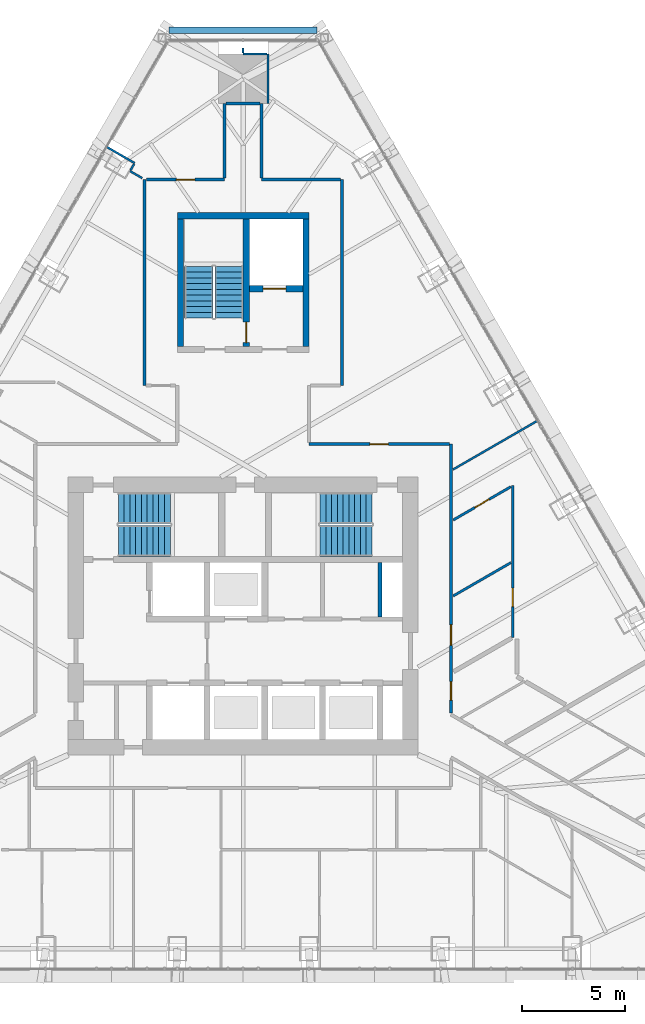
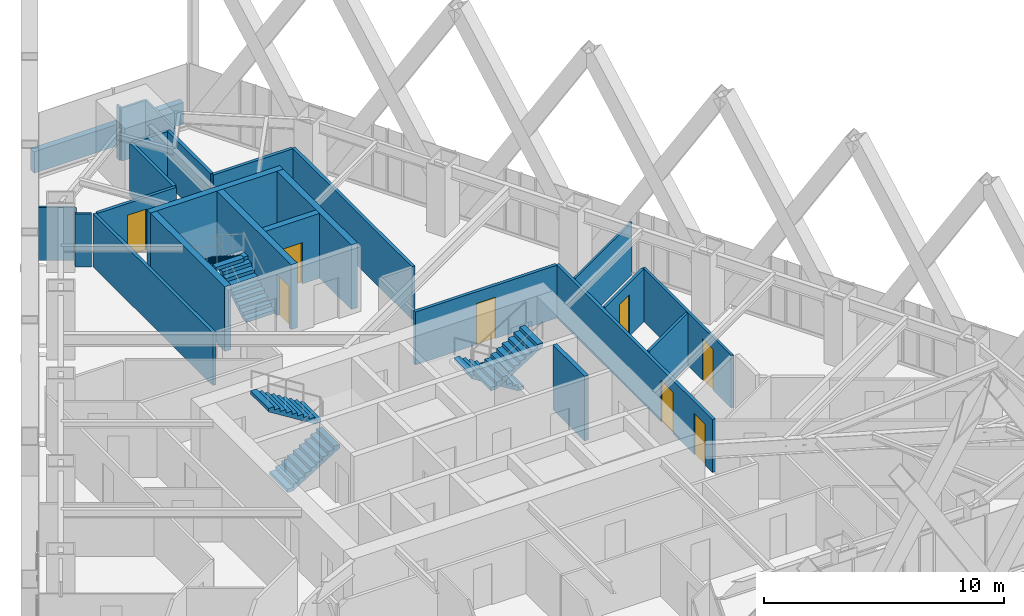
# One storey, part 19 of 21: 26 walls, 8 doors, 6 stair flights, 8 openings, 3 elements without a shape of their own.
"""IFC4 building model written with IfcOpenShell, lengths in metres."""

from ifc_helpers import new_model, si_unit, direction, frame, frame_2d, origin, place, context, subcontext, project, spatial, polyline, rectangle, outline, extrude, material, layer, layer_set, type_object, element, fill, aggregate, save


model = new_model("IFC4")

# Units and contexts
model_context = context("Model", 3, precision=1e-05, world=origin(), true_north=direction((0.0, 1.0)))
body_context = subcontext(model_context, "Body", "Model", "MODEL_VIEW")
ifc_project = project(units=[si_unit("LENGTHUNIT", "METRE"), si_unit("AREAUNIT", "SQUARE_METRE"), si_unit("VOLUMEUNIT", "CUBIC_METRE"), si_unit("PLANEANGLEUNIT", "RADIAN"), si_unit("MASSUNIT", "GRAM", prefix="KILO")], contexts=[model_context])

# Site, building, storey
site_placement = place(None, origin())
site = spatial("IfcSite", under=ifc_project, at=site_placement, CompositionType="ELEMENT")
building_placement = place(site_placement, origin())
building = spatial("IfcBuilding", under=site, at=building_placement, Name="Firuza Gate Tower and Library", CompositionType="ELEMENT")
storey_placement = place(building_placement, frame((0.0, 0.0, 281.10009765625)))
storey = spatial("IfcBuildingStorey", under=building, at=storey_placement, Name="L67", CompositionType="ELEMENT", Elevation=281.10009765625)

# Walls
ifc_material_1 = material(Name="Plasterboard on steel studs", Category="steel")
ifc_layer_1 = layer(ifc_material_1, 0.199951171875)
ifc_layer_set_1 = layer_set([ifc_layer_1], Name="Core partition 200 EI 120")
wall_type_1 = type_object("IfcWallType", Name="Core partition 200 EI 120", PredefinedType="PARTITIONING", material=ifc_layer_set_1)
wall_1_placement = place(storey_placement, frame((81.64990234375, 74.949951171875, 0.0), z_axis=(0.0, 0.0, 1.0), x_axis=(0.0, 1.0, 0.0)))
element("IfcWall", 1, at=wall_1_placement, inside=storey, type_object=wall_type_1, Name="Core partition L67 7", PredefinedType="PARTITIONING", context=body_context, shape_type="SweptSolid", body=[
    extrude(rectangle(XDim=2.650146484375, YDim=0.199951171875, at=frame_2d((1.3251953125, 0.0))), origin(), (0.0, 0.0, 1.0), 3.2998046875),
])
ifc_material_2 = material(Name="Concrete C60/75", Category="concrete")
ifc_layer_2 = layer(ifc_material_2, 0.300048828125)
ifc_layer_set_2 = layer_set([ifc_layer_2], Name="Core wall 300 C60/75")
wall_type_2 = type_object("IfcWallType", Name="Core wall 300 C60/75", PredefinedType="SHEAR", material=ifc_layer_set_2)
wall_2_placement = place(storey_placement, frame((71.800048828125, 94.449951171875, 0.0), z_axis=(0.0, 0.0, 1.0), x_axis=(1.0, 0.0, 0.0)))
element("IfcWall", 2, at=wall_2_placement, inside=storey, type_object=wall_type_2, Name="Core wall L67 19", PredefinedType="SHEAR", context=body_context, shape_type="SweptSolid", body=[
    extrude(rectangle(XDim=6.39990234375, YDim=0.300048828125, at=frame_2d((3.199951171875, 0.0))), origin(), (0.0, 0.0, 1.0), 3.2998046875),
])
for number, where, z_axis, x_axis, name in (
    (3, (71.949951171875, 88.10009765625, 0.0), (0.0, 0.0, 1.0), (0.0, 1.0, 0.0), "Core wall L67 20"),
    (4, (78.050048828125, 88.10009765625, 0.0), (0.0, 0.0, 1.0), (0.0, 1.0, 0.0), "Core wall L67 21"),
):
    element("IfcWall", number, at=place(storey_placement, frame(where, z_axis=z_axis, x_axis=x_axis)), inside=storey, type_object=wall_type_2, Name=name, PredefinedType="SHEAR", context=body_context, shape_type="SweptSolid", body=[
        extrude(rectangle(XDim=6.199951171875, YDim=0.300048828125, at=frame_2d((3.10009765625, 0.0))), origin(), (0.0, 0.0, 1.0), 3.2998046875),
    ])

# Wall, opening, door
wall_3_placement = place(storey_placement, frame((75.300048828125, 90.89990234375, 0.0), z_axis=(0.0, 0.0, 1.0), x_axis=(1.0, 0.0, 0.0)))
wall_3 = element("IfcWall", 5, at=wall_3_placement, inside=storey, type_object=wall_type_2, Name="Core wall L67 22", PredefinedType="SHEAR", context=body_context, shape_type="SweptSolid", body=[
    extrude(rectangle(XDim=2.599853515625, YDim=0.300048828125, at=frame_2d((1.2998046875, 0.0))), origin(), (0.0, 0.0, 1.0), 3.2998046875),
])
opening_1_placement = place(wall_3_placement, frame((0.675048828125, 0.0, 0.0)))
opening_1 = element("IfcOpeningElement", 6, at=opening_1_placement, cuts=wall_3, Name="Opening LD-SV1-L67", PredefinedType="OPENING", context=body_context, shape_type="SweptSolid", body=[
    extrude(rectangle(XDim=1.10009765625, YDim=2.10009765625, at=frame_2d((0.550048828125, 1.050048828125))), frame((0.0, 0.16015625, 0.0), z_axis=(0.0, -1.0, 0.0), x_axis=(1.0, 0.0, 0.0)), (0.0, 0.0, 1.0), 0.320068359375),
])
ifc_material_3 = material(Name="Stainless steel", Category="steel")
door_type_1 = type_object("IfcDoorType", Name="Lift landing door 1100x2100", OperationType="DOUBLE_DOOR_SLIDING", PredefinedType="DOOR", material=ifc_material_3)
door_1_placement = place(opening_1_placement, origin())
door_1 = element("IfcDoor", 7, at=door_1_placement, inside=storey, type_object=door_type_1, Name="Landing door SV1 L67", OperationType="DOUBLE_DOOR_SLIDING", OverallHeight=2.10009765625, OverallWidth=1.10009765625, PredefinedType="DOOR", context=body_context, shape_type="SweptSolid", body=[
    extrude(rectangle(XDim=1.10009765625, YDim=2.10009765625, at=frame_2d((0.550048828125, 1.050048828125))), frame((0.0, 0.02490234375, 0.0), z_axis=(0.0, -1.0, 0.0), x_axis=(1.0, 0.0, 0.0)), (0.0, 0.0, 1.0), 0.050048828125),
])
fill(opening_1, door_1)

wall_4_placement = place(storey_placement, frame((75.14990234375, 88.10009765625, 0.0), z_axis=(0.0, 0.0, 1.0), x_axis=(0.0, 1.0, 0.0)))
wall_4 = element("IfcWall", 8, at=wall_4_placement, inside=storey, type_object=wall_type_2, Name="Core wall L67 23", PredefinedType="SHEAR", context=body_context, shape_type="SweptSolid", body=[
    extrude(rectangle(XDim=6.199951171875, YDim=0.300048828125, at=frame_2d((3.10009765625, 0.0))), origin(), (0.0, 0.0, 1.0), 3.2998046875),
])
opening_2_placement = place(wall_4_placement, frame((0.18505859375, 0.0, 0.0)))
opening_2 = element("IfcOpeningElement", 9, at=opening_2_placement, cuts=wall_4, Name="Opening L67-K12", PredefinedType="OPENING", context=body_context, shape_type="SweptSolid", body=[
    extrude(rectangle(XDim=1.0, YDim=2.10009765625, at=frame_2d((0.5, 1.050048828125))), frame((0.0, 0.16015625, 0.0), z_axis=(0.0, -1.0, 0.0), x_axis=(1.0, 0.0, 0.0)), (0.0, 0.0, 1.0), 0.320068359375),
])
ifc_material_4 = material(Name="Steel", Category="steel")
door_type_2 = type_object("IfcDoorType", Name="Fire door 1000x2100 FD90", OperationType="NOTDEFINED", PredefinedType="DOOR", material=ifc_material_4)
door_2_placement = place(opening_2_placement, origin())
door_2 = element("IfcDoor", 10, at=door_2_placement, inside=storey, type_object=door_type_2, Name="Door L67-K12", OperationType="SINGLE_SWING_LEFT", OverallHeight=2.10009765625, OverallWidth=1.0, PredefinedType="DOOR", context=body_context, shape_type="SweptSolid", body=[
    extrude(rectangle(XDim=1.0, YDim=2.10009765625, at=frame_2d((0.5, 1.050048828125))), frame((0.0, 0.02490234375, 0.0), z_axis=(0.0, -1.0, 0.0), x_axis=(1.0, 0.0, 0.0)), (0.0, 0.0, 1.0), 0.050048828125),
])
fill(opening_2, door_2)

ifc_material_5 = material(Name="Gypsum board partition")
ifc_layer_3 = layer(ifc_material_5, 0.14990234375)
ifc_layer_set_3 = layer_set([ifc_layer_3], Name="Corridor wall 150 double board on steel studs")
wall_type_3 = type_object("IfcWallType", Name="Corridor wall 150 double board on steel studs", PredefinedType="PARTITIONING", material=ifc_layer_set_3)
wall_5_placement = place(storey_placement, frame((78.199951171875, 83.35009765625, 0.0), z_axis=(0.0, 0.0, 1.0), x_axis=(1.0, 0.0, 0.0)))
wall_5 = element("IfcWall", 11, at=wall_5_placement, inside=storey, type_object=wall_type_3, Name="f:L67:w006", PredefinedType="PARTITIONING", context=body_context, shape_type="SweptSolid", body=[
    extrude(rectangle(XDim=6.822998046875, YDim=0.14990234375, at=frame_2d((3.41162109375, 0.0))), origin(), (0.0, 0.0, 1.0), 2.699951171875),
])
opening_3_placement = place(wall_5_placement, frame((2.96142578125, 0.0, 0.0)))
opening_3 = element("IfcOpeningElement", 12, at=opening_3_placement, cuts=wall_5, Name="Opening L67-07", PredefinedType="OPENING", context=body_context, shape_type="SweptSolid", body=[
    extrude(rectangle(XDim=0.89990234375, YDim=2.10009765625, at=frame_2d((0.449951171875, 1.050048828125))), frame((0.0, 0.0849609375, 0.0), z_axis=(0.0, -1.0, 0.0), x_axis=(1.0, 0.0, 0.0)), (0.0, 0.0, 1.0), 0.169921875),
])
ifc_material_6 = material(Name="Steel door and timber leaf", Category="steel")
door_type_3 = type_object("IfcDoorType", Name="Fire door 900 x 2100 steel frame, timber leaf", OperationType="NOTDEFINED", PredefinedType="DOOR", material=ifc_material_6)
door_3_placement = place(opening_3_placement, origin())
door_3 = element("IfcDoor", 13, at=door_3_placement, inside=storey, type_object=door_type_3, Name="f:L67:d007", OperationType="SINGLE_SWING_RIGHT", OverallHeight=2.10009765625, OverallWidth=0.89990234375, PredefinedType="DOOR", context=body_context, shape_type="SweptSolid", body=[
    extrude(rectangle(XDim=0.89990234375, YDim=2.10009765625, at=frame_2d((0.449951171875, 1.050048828125))), frame((0.0, 0.02490234375, 0.0), z_axis=(0.0, -1.0, 0.0), x_axis=(1.0, 0.0, 0.0)), (0.0, 0.0, 1.0), 0.050048828125),
])
fill(opening_3, door_3)

wall_6_placement = place(storey_placement, frame((70.30224609375, 96.199951171875, 0.0), z_axis=(0.0, 0.0, 1.0), x_axis=(1.0, 0.0, 0.0)))
wall_6 = element("IfcWall", 14, at=wall_6_placement, inside=storey, type_object=wall_type_3, Name="f:L67:w010", PredefinedType="PARTITIONING", context=body_context, shape_type="SweptSolid", body=[
    extrude(rectangle(XDim=3.7978515625, YDim=0.14990234375, at=frame_2d((1.89892578125, 0.0))), origin(), (0.0, 0.0, 1.0), 2.699951171875),
])
opening_4_placement = place(wall_6_placement, frame((1.448974609375, 0.0, 0.0)))
opening_4 = element("IfcOpeningElement", 15, at=opening_4_placement, cuts=wall_6, Name="Opening L67-09", PredefinedType="OPENING", context=body_context, shape_type="SweptSolid", body=[
    extrude(rectangle(XDim=0.89990234375, YDim=2.10009765625, at=frame_2d((0.449951171875, 1.050048828125))), frame((0.0, 0.0849609375, 0.0), z_axis=(0.0, -1.0, 0.0), x_axis=(1.0, 0.0, 0.0)), (0.0, 0.0, 1.0), 0.169921875),
])
door_4_placement = place(opening_4_placement, origin())
door_4 = element("IfcDoor", 16, at=door_4_placement, inside=storey, type_object=door_type_3, Name="f:L67:d009", OperationType="SINGLE_SWING_LEFT", OverallHeight=2.10009765625, OverallWidth=0.89990234375, PredefinedType="DOOR", context=body_context, shape_type="SweptSolid", body=[
    extrude(rectangle(XDim=0.89990234375, YDim=2.10009765625, at=frame_2d((0.449951171875, 1.050048828125))), frame((0.0, 0.02490234375, 0.0), z_axis=(0.0, -1.0, 0.0), x_axis=(1.0, 0.0, 0.0)), (0.0, 0.0, 1.0), 0.050048828125),
])
fill(opening_4, door_4)

# Walls
wall_7_placement = place(storey_placement, frame((75.900146484375, 96.199951171875, 0.0), z_axis=(0.0, 0.0, 1.0), x_axis=(1.0, 0.0, 0.0)))
element("IfcWall", 17, at=wall_7_placement, inside=storey, type_object=wall_type_3, Name="f:L67:w011", PredefinedType="PARTITIONING", context=body_context, shape_type="SweptSolid", body=[
    extrude(rectangle(XDim=3.82275390625, YDim=0.14990234375, at=frame_2d((1.911376953125, 0.0))), origin(), (0.0, 0.0, 1.0), 2.699951171875),
])
wall_8_placement = place(storey_placement, frame((74.175537109375, 99.90087890625, 0.0), z_axis=(0.0, 0.0, 1.0), x_axis=(1.0, 0.0, 0.0)))
element("IfcWall", 18, at=wall_8_placement, inside=storey, type_object=wall_type_3, Name="f:L67:w012", PredefinedType="PARTITIONING", context=body_context, shape_type="SweptSolid", body=[
    extrude(rectangle(XDim=1.642333984375, YDim=0.14990234375, at=frame_2d((0.8212890625, 0.0))), origin(), (0.0, 0.0, 1.0), 2.697021484375),
])

# Wall, openings, doors
wall_9_placement = place(storey_placement, frame((85.10009765625, 83.347900390625, 0.0), z_axis=(0.0, 0.0, 1.0), x_axis=(0.0, -1.0, 0.0)))
wall_9 = element("IfcWall", 19, at=wall_9_placement, inside=storey, type_object=wall_type_3, Name="f:L67:w042", PredefinedType="PARTITIONING", context=body_context, shape_type="SweptSolid", body=[
    extrude(rectangle(XDim=13.05322265625, YDim=0.14990234375, at=frame_2d((6.526611328125, 0.0))), origin(), (0.0, 0.0, 1.0), 2.699951171875),
])
opening_5_placement = place(wall_9_placement, frame((8.779541015625, 0.0, 0.0)))
opening_5 = element("IfcOpeningElement", 20, at=opening_5_placement, cuts=wall_9, Name="Opening L67-18", PredefinedType="OPENING", context=body_context, shape_type="SweptSolid", body=[
    extrude(rectangle(XDim=1.0, YDim=2.10009765625, at=frame_2d((0.5, 1.050048828125))), frame((0.0, 0.0849609375, 0.0), z_axis=(0.0, -1.0, 0.0), x_axis=(1.0, 0.0, 0.0)), (0.0, 0.0, 1.0), 0.169921875),
])
opening_6_placement = place(wall_9_placement, frame((11.537109375, 0.0, 0.0)))
opening_6 = element("IfcOpeningElement", 21, at=opening_6_placement, cuts=wall_9, Name="Opening L67-19", PredefinedType="OPENING", context=body_context, shape_type="SweptSolid", body=[
    extrude(rectangle(XDim=0.89990234375, YDim=2.10009765625, at=frame_2d((0.449951171875, 1.050048828125))), frame((0.0, 0.0849609375, 0.0), z_axis=(0.0, -1.0, 0.0), x_axis=(1.0, 0.0, 0.0)), (0.0, 0.0, 1.0), 0.169921875),
])
ifc_material_7 = material(Name="Steel door and timber leaf", Category="steel")
door_type_4 = type_object("IfcDoorType", Name="Fire door 1000 x 2100 steel frame, timber leaf", OperationType="NOTDEFINED", PredefinedType="DOOR", material=ifc_material_7)
door_5_placement = place(opening_5_placement, origin())
door_5 = element("IfcDoor", 22, at=door_5_placement, inside=storey, type_object=door_type_4, Name="f:L67:d018", OperationType="SINGLE_SWING_LEFT", OverallHeight=2.10009765625, OverallWidth=1.0, PredefinedType="DOOR", context=body_context, shape_type="SweptSolid", body=[
    extrude(rectangle(XDim=1.0, YDim=2.10009765625, at=frame_2d((0.5, 1.050048828125))), frame((0.0, 0.02490234375, 0.0), z_axis=(0.0, -1.0, 0.0), x_axis=(1.0, 0.0, 0.0)), (0.0, 0.0, 1.0), 0.050048828125),
])
fill(opening_5, door_5)
door_6_placement = place(opening_6_placement, origin())
door_6 = element("IfcDoor", 23, at=door_6_placement, inside=storey, type_object=door_type_3, Name="f:L67:d019", OperationType="SINGLE_SWING_LEFT", OverallHeight=2.10009765625, OverallWidth=0.89990234375, PredefinedType="DOOR", context=body_context, shape_type="SweptSolid", body=[
    extrude(rectangle(XDim=0.89990234375, YDim=2.10009765625, at=frame_2d((0.449951171875, 1.050048828125))), frame((0.0, 0.02490234375, 0.0), z_axis=(0.0, -1.0, 0.0), x_axis=(1.0, 0.0, 0.0)), (0.0, 0.0, 1.0), 0.050048828125),
])
fill(opening_6, door_6)

# Walls
wall_10_placement = place(storey_placement, frame((79.800048828125, 86.201904296875, 0.0), z_axis=(0.0, 0.0, 1.0), x_axis=(0.0, 1.0, 0.0)))
element("IfcWall", 24, at=wall_10_placement, inside=storey, type_object=wall_type_3, Name="f:L67:w044", PredefinedType="PARTITIONING", context=body_context, shape_type="SweptSolid", body=[
    extrude(rectangle(XDim=9.99609375, YDim=0.14990234375, at=frame_2d((4.998046875, 0.0))), origin(), (0.0, 0.0, 1.0), 2.699951171875),
])
wall_11_placement = place(storey_placement, frame((75.89990234375, 96.275146484375, 0.0), z_axis=(0.0, 0.0, 1.0), x_axis=(0.0, 1.0, 0.0)))
element("IfcWall", 25, at=wall_11_placement, inside=storey, type_object=wall_type_3, Name="f:L67:w048", PredefinedType="PARTITIONING", context=body_context, shape_type="SweptSolid", body=[
    extrude(rectangle(XDim=3.62548828125, YDim=0.14990234375, at=frame_2d((1.812744140625, 0.0))), origin(), (0.0, 0.0, 1.0), 2.699951171875),
])
wall_12_placement = place(storey_placement, frame((74.10009765625, 96.27490234375, 0.0), z_axis=(0.0, 0.0, 1.0), x_axis=(0.0, 1.0, 0.0)))
element("IfcWall", 26, at=wall_12_placement, inside=storey, type_object=wall_type_3, Name="f:L67:w050", PredefinedType="PARTITIONING", context=body_context, shape_type="SweptSolid", body=[
    extrude(rectangle(XDim=3.625244140625, YDim=0.14990234375, at=frame_2d((1.8125, 0.0))), origin(), (0.0, 0.0, 1.0), 2.699951171875),
])
wall_13_placement = place(storey_placement, frame((70.199951171875, 86.200439453125, 0.0), z_axis=(0.0, 0.0, 1.0), x_axis=(0.0, 1.0, 0.0)))
element("IfcWall", 27, at=wall_13_placement, inside=storey, type_object=wall_type_3, Name="f:L67:w053", PredefinedType="PARTITIONING", context=body_context, shape_type="SweptSolid", body=[
    extrude(rectangle(XDim=9.9990234375, YDim=0.14990234375, at=frame_2d((4.99951171875, 0.0))), origin(), (0.0, 0.0, 1.0), 2.699951171875),
])
ifc_material_8 = material(Name="Gypsum board partition")
ifc_layer_4 = layer(ifc_material_8, 0.10009765625)
ifc_layer_set_4 = layer_set([ifc_layer_4], Name="Partition 100 gypsum board on steel studs")
wall_type_4 = type_object("IfcWallType", Name="Partition 100 gypsum board on steel studs", PredefinedType="PARTITIONING", material=ifc_layer_set_4)
wall_14_placement = place(storey_placement, frame((75.00048828125, 102.301025390625, 0.0), z_axis=(0.0, 0.0, 1.0), x_axis=(1.0, 0.0, 0.0)))
element("IfcWall", 28, at=wall_14_placement, inside=storey, type_object=wall_type_4, Name="f:L67:w013", PredefinedType="PARTITIONING", context=body_context, shape_type="SweptSolid", body=[
    extrude(rectangle(XDim=1.1474609375, YDim=0.10009765625, at=frame_2d((0.57373046875, 0.0))), origin(), (0.0, 0.0, 1.0), 2.699951171875),
])
wall_15_placement = place(storey_placement, frame((85.200927734375, 82.119384765625, 0.0), z_axis=(0.0, 0.0, 1.0), x_axis=(0.866035297817, 0.499982862641, 0.0)))
element("IfcWall", 29, at=wall_15_placement, inside=storey, type_object=wall_type_4, Name="f:L67:w027", PredefinedType="PARTITIONING", context=body_context, shape_type="SweptSolid", body=[
    extrude(rectangle(XDim=4.734130859375, YDim=0.10009765625, at=frame_2d((2.3671875, 0.0))), origin(), (0.0, 0.0, 1.0), 2.68798828125),
])
wall_16_placement = place(storey_placement, frame((69.52978515625, 96.6611328125, 0.0), z_axis=(0.0, 0.0, 1.0), x_axis=(0.499904278411, 0.866080661617, 0.0)))
element("IfcWall", 30, at=wall_16_placement, inside=storey, type_object=wall_type_4, Name="f:L67:w031", PredefinedType="PARTITIONING", context=body_context, shape_type="SweptSolid", body=[
    extrude(rectangle(XDim=0.3486328125, YDim=0.10009765625, at=frame_2d((0.17431640625, 0.0))), origin(), (0.0, 0.0, 1.0), 2.699951171875),
])
wall_17_placement = place(storey_placement, frame((76.199951171875, 99.902587890625, 0.0), z_axis=(0.0, 0.0, 1.0), x_axis=(0.0, 1.0, 0.0)))
element("IfcWall", 31, at=wall_17_placement, inside=storey, type_object=wall_type_4, Name="f:L67:w047", PredefinedType="PARTITIONING", context=body_context, shape_type="SweptSolid", body=[
    extrude(rectangle(XDim=2.39599609375, YDim=0.10009765625, at=frame_2d((1.197998046875, 0.0))), origin(), (0.0, 0.0, 1.0), 2.699951171875),
])
wall_18_placement = place(storey_placement, frame((75.0, 102.35107421875, 0.0), z_axis=(0.0, 0.0, 1.0), x_axis=(0.0, 1.0, 0.0)))
element("IfcWall", 32, at=wall_18_placement, inside=storey, type_object=wall_type_4, Name="f:L67:w049", PredefinedType="PARTITIONING", context=body_context, shape_type="SweptSolid", body=[
    extrude(rectangle(XDim=0.24951171875, YDim=0.10009765625, at=frame_2d((0.124755859375, 0.0))), origin(), (0.0, 0.0, 1.0), 2.699951171875),
])
wall_19_placement = place(storey_placement, frame((69.728759765625, 97.007080078125, 0.0), z_axis=(0.0, 0.0, 1.0), x_axis=(-0.866018739521, 0.500011542666, 0.0)))
element("IfcWall", 33, at=wall_19_placement, inside=storey, type_object=wall_type_4, Name="f:L67:w064", PredefinedType="PARTITIONING", context=body_context, shape_type="SweptSolid", body=[
    extrude(rectangle(XDim=1.5595703125, YDim=0.10009765625, at=frame_2d((0.77978515625, 0.0))), origin(), (0.0, 0.0, 1.0), 2.699951171875),
])
wall_20_placement = place(storey_placement, frame((70.09716796875, 96.27490234375, 0.0), z_axis=(0.0, 0.0, 1.0), x_axis=(-0.866060802215, 0.499938683108, 0.0)))
element("IfcWall", 34, at=wall_20_placement, inside=storey, type_object=wall_type_4, Name="f:L67:w065", PredefinedType="PARTITIONING", context=body_context, shape_type="SweptSolid", body=[
    extrude(rectangle(XDim=0.68408203125, YDim=0.10009765625, at=frame_2d((0.342041015625, 0.0))), origin(), (0.0, 0.0, 1.0), 2.699951171875),
])
ifc_material_9 = material(Name="Concrete C40/50", Category="concrete")
ifc_layer_5 = layer(ifc_material_9, 0.300048828125)
ifc_layer_set_5 = layer_set([ifc_layer_5], Name="Terrace parapet 300")
wall_type_5 = type_object("IfcWallType", Name="Terrace parapet 300", PredefinedType="PARAPET", material=ifc_layer_set_5)
wall_21_placement = place(storey_placement, frame((78.60009765625, 103.4619140625, 0.0), z_axis=(0.0, 0.0, 1.0), x_axis=(-1.0, 0.0, 0.0)))
element("IfcWall", 35, at=wall_21_placement, inside=storey, type_object=wall_type_5, Name="Parapet L67 3", PredefinedType="PARAPET", context=body_context, shape_type="SweptSolid", body=[
    extrude(rectangle(XDim=7.2001953125, YDim=0.300048828125, at=frame_2d((3.60009765625, 0.0))), origin(), (0.0, 0.0, 1.0), 1.099853515625),
])
ifc_material_10 = material(Name="Gypsum board partition")
ifc_layer_6 = layer(ifc_material_10, 0.1201171875)
ifc_layer_set_6 = layer_set([ifc_layer_6], Name="Wet-area partition 120 moisture-resistant board")
wall_type_6 = type_object("IfcWallType", Name="Wet-area partition 120 moisture-resistant board", PredefinedType="PARTITIONING", material=ifc_layer_set_6)
wall_22_placement = place(storey_placement, frame((85.209716796875, 75.975830078125, 0.0), z_axis=(0.0, 0.0, 1.0), x_axis=(0.86605210011, 0.499953757757, 0.0)))
element("IfcWall", 36, at=wall_22_placement, inside=storey, type_object=wall_type_6, Name="f:L67:w020", PredefinedType="PARTITIONING", context=body_context, shape_type="SweptSolid", body=[
    extrude(rectangle(XDim=3.228271484375, YDim=0.1201171875, at=frame_2d((1.6142578125, 0.0))), origin(), (0.0, 0.0, 1.0), 2.699951171875),
])

# Wall, opening, door
wall_23_placement = place(storey_placement, frame((88.00537109375, 81.279052734375, 0.0), z_axis=(0.0, 0.0, 1.0), x_axis=(-0.866000447062, -0.500043223821, 0.0)))
wall_23 = element("IfcWall", 37, at=wall_23_placement, inside=storey, type_object=wall_type_6, Name="f:L67:w023", PredefinedType="PARTITIONING", context=body_context, shape_type="SweptSolid", body=[
    extrude(rectangle(XDim=3.228271484375, YDim=0.1201171875, at=frame_2d((1.6142578125, 0.0))), origin(), (0.0, 0.0, 1.0), 2.699951171875),
])
opening_7_placement = place(wall_23_placement, frame((1.214111328125, 0.0, 0.0)))
opening_7 = element("IfcOpeningElement", 38, at=opening_7_placement, cuts=wall_23, Name="Opening L67-11", PredefinedType="OPENING", context=body_context, shape_type="SweptSolid", body=[
    extrude(rectangle(XDim=0.800048828125, YDim=2.10009765625, at=frame_2d((0.39990234375, 1.050048828125))), frame((0.0, 0.070068359375, 0.0), z_axis=(0.0, -1.0, 0.0), x_axis=(1.0, 0.0, 0.0)), (0.0, 0.0, 1.0), 0.14013671875),
])
ifc_material_11 = material(Name="Timber door", Category="wood")
door_type_5 = type_object("IfcDoorType", Name="Door 800 x 2100 timber leaf", OperationType="NOTDEFINED", PredefinedType="DOOR", material=ifc_material_11)
door_7_placement = place(opening_7_placement, origin())
door_7 = element("IfcDoor", 39, at=door_7_placement, inside=storey, type_object=door_type_5, Name="f:L67:d011", OperationType="SINGLE_SWING_RIGHT", OverallHeight=2.10009765625, OverallWidth=0.800048828125, PredefinedType="DOOR", context=body_context, shape_type="SweptSolid", body=[
    extrude(rectangle(XDim=0.800048828125, YDim=2.10009765625, at=frame_2d((0.39990234375, 1.050048828125))), frame((0.0, 0.02490234375, 0.0), z_axis=(0.0, -1.0, 0.0), x_axis=(1.0, 0.0, 0.0)), (0.0, 0.0, 1.0), 0.050048828125),
])
fill(opening_7, door_7)

wall_24_placement = place(storey_placement, frame((88.10009765625, 81.333740234375, 0.0), z_axis=(0.0, 0.0, 1.0), x_axis=(0.0, -1.0, 0.0)))
wall_24 = element("IfcWall", 40, at=wall_24_placement, inside=storey, type_object=wall_type_6, Name="f:L67:w038", PredefinedType="PARTITIONING", context=body_context, shape_type="SweptSolid", body=[
    extrude(rectangle(XDim=7.3779296875, YDim=0.1201171875, at=frame_2d((3.68896484375, 0.0))), origin(), (0.0, 0.0, 1.0), 2.699951171875),
])
opening_8_placement = place(wall_24_placement, frame((4.98193359375, 0.0, 0.0)))
opening_8 = element("IfcOpeningElement", 41, at=opening_8_placement, cuts=wall_24, Name="Opening L67-16", PredefinedType="OPENING", context=body_context, shape_type="SweptSolid", body=[
    extrude(rectangle(XDim=0.89990234375, YDim=2.10009765625, at=frame_2d((0.449951171875, 1.050048828125))), frame((0.0, 0.070068359375, 0.0), z_axis=(0.0, -1.0, 0.0), x_axis=(1.0, 0.0, 0.0)), (0.0, 0.0, 1.0), 0.14013671875),
])
ifc_material_12 = material(Name="Timber door", Category="wood")
door_type_6 = type_object("IfcDoorType", Name="Door 900 x 2100 timber leaf", OperationType="NOTDEFINED", PredefinedType="DOOR", material=ifc_material_12)
door_8_placement = place(opening_8_placement, origin())
door_8 = element("IfcDoor", 42, at=door_8_placement, inside=storey, type_object=door_type_6, Name="f:L67:d016", OperationType="SINGLE_SWING_RIGHT", OverallHeight=2.10009765625, OverallWidth=0.89990234375, PredefinedType="DOOR", context=body_context, shape_type="SweptSolid", body=[
    extrude(rectangle(XDim=0.89990234375, YDim=2.10009765625, at=frame_2d((0.449951171875, 1.050048828125))), frame((0.0, 0.02490234375, 0.0), z_axis=(0.0, -1.0, 0.0), x_axis=(1.0, 0.0, 0.0)), (0.0, 0.0, 1.0), 0.050048828125),
])
fill(opening_8, door_8)

# Stair, stair flights
ifc_material_13 = material(Name="Concrete C35/45", Category="concrete")
stair_type_1 = type_object("IfcStairType", Name="Exit stair ST17", PredefinedType="HALF_TURN_STAIR", material=ifc_material_13)
placement = place(storey_placement, origin())
stair_1 = element("IfcStair", 43, at=placement, inside=storey, type_object=stair_type_1, Name="L67 Stair ST3", PredefinedType="HALF_TURN_STAIR")
ifc_material_14 = material(Name="Concrete C35/45", Category="concrete")
stair_flight_type_1 = type_object("IfcStairFlightType", Name="Stair flight 10 risers 175 width 1370", PredefinedType="STRAIGHT", material=ifc_material_14)
stair_flight_1_placement = place(storey_placement, frame((74.31494140625, 89.469970703125, 0.0), z_axis=(0.0, 0.0, 1.0), x_axis=(0.0, 1.0, 0.0)))
stair_flight_1 = element("IfcStairFlight", 44, at=stair_flight_1_placement, type_object=stair_flight_type_1, Name="ST3 flight 1", NumberOfRisers=10, NumberOfTreads=9, PredefinedType="STRAIGHT", RiserHeight=0.175, TreadLength=0.28, context=body_context, shape_type="SweptSolid", body=[
    extrude(outline(polyline([(0.0, 0.0), (0.0, 0.175048828125), (0.280029296875, 0.175048828125), (0.280029296875, 0.35009765625), (0.56005859375, 0.35009765625), (0.56005859375, 0.52490234375), (0.840087890625, 0.52490234375), (0.840087890625, 0.699951171875), (1.1201171875, 0.699951171875), (1.1201171875, 0.875), (1.39990234375, 0.875), (1.39990234375, 1.050048828125), (1.679931640625, 1.050048828125), (1.679931640625, 1.22509765625), (1.9599609375, 1.22509765625), (1.9599609375, 1.39990234375), (2.239990234375, 1.39990234375), (2.239990234375, 1.574951171875), (2.52001953125, 1.574951171875), (2.52001953125, 1.75), (2.52001953125, 1.398193359375), (0.28271484375, 0.0), (0.0, 0.0)])), frame((0.0, 0.68505859375, 0.0), z_axis=(0.0, -1.0, 0.0), x_axis=(1.0, 0.0, 0.0)), (0.0, 0.0, 1.0), 1.3701171875),
])
stair_flight_2_placement = place(storey_placement, frame((72.844970703125, 91.989990234375, 1.75), z_axis=(0.0, 0.0, 1.0), x_axis=(0.0, -1.0, 0.0)))
stair_flight_2 = element("IfcStairFlight", 45, at=stair_flight_2_placement, type_object=stair_flight_type_1, Name="ST3 flight 2", NumberOfRisers=10, NumberOfTreads=9, PredefinedType="STRAIGHT", RiserHeight=0.175, TreadLength=0.28, context=body_context, shape_type="SweptSolid", body=[
    extrude(outline(polyline([(0.0, 0.0), (0.0, 0.175048828125), (0.280029296875, 0.175048828125), (0.280029296875, 0.35009765625), (0.56005859375, 0.35009765625), (0.56005859375, 0.52490234375), (0.840087890625, 0.52490234375), (0.840087890625, 0.699951171875), (1.1201171875, 0.699951171875), (1.1201171875, 0.875), (1.39990234375, 0.875), (1.39990234375, 1.050048828125), (1.679931640625, 1.050048828125), (1.679931640625, 1.22509765625), (1.9599609375, 1.22509765625), (1.9599609375, 1.39990234375), (2.239990234375, 1.39990234375), (2.239990234375, 1.574951171875), (2.52001953125, 1.574951171875), (2.52001953125, 1.75), (2.52001953125, 1.398193359375), (0.28271484375, 0.0), (0.0, 0.0)])), frame((0.0, 0.68505859375, 0.0), z_axis=(0.0, -1.0, 0.0), x_axis=(1.0, 0.0, 0.0)), (0.0, 0.0, 1.0), 1.3701171875),
])
aggregate(stair_1, [stair_flight_1, stair_flight_2])

ifc_material_15 = material(Name="Concrete C35/45", Category="concrete")
stair_type_2 = type_object("IfcStairType", Name="Exit stair ST8", PredefinedType="HALF_TURN_STAIR", material=ifc_material_15)
stair_2 = element("IfcStair", 46, at=placement, inside=storey, type_object=stair_type_2, Name="L67 Stair ST1", PredefinedType="HALF_TURN_STAIR")
ifc_material_16 = material(Name="Concrete C35/45", Category="concrete")
stair_flight_type_2 = type_object("IfcStairFlightType", Name="Stair flight 10 risers 175 width 1490", PredefinedType="STRAIGHT", material=ifc_material_16)
stair_flight_3_placement = place(storey_placement, frame((68.93994140625, 78.64501953125, 0.0), z_axis=(0.0, 0.0, 1.0), x_axis=(1.0, 0.0, 0.0)))
stair_flight_3 = element("IfcStairFlight", 47, at=stair_flight_3_placement, type_object=stair_flight_type_2, Name="ST1 flight 1", NumberOfRisers=10, NumberOfTreads=9, PredefinedType="STRAIGHT", RiserHeight=0.175, TreadLength=0.28, context=body_context, shape_type="SweptSolid", body=[
    extrude(outline(polyline([(0.0, 0.0), (0.0, 0.175048828125), (0.280029296875, 0.175048828125), (0.280029296875, 0.35009765625), (0.56005859375, 0.35009765625), (0.56005859375, 0.52490234375), (0.840087890625, 0.52490234375), (0.840087890625, 0.699951171875), (1.1201171875, 0.699951171875), (1.1201171875, 0.875), (1.39990234375, 0.875), (1.39990234375, 1.050048828125), (1.679931640625, 1.050048828125), (1.679931640625, 1.22509765625), (1.9599609375, 1.22509765625), (1.9599609375, 1.39990234375), (2.239990234375, 1.39990234375), (2.239990234375, 1.574951171875), (2.52001953125, 1.574951171875), (2.52001953125, 1.75), (2.52001953125, 1.398193359375), (0.28271484375, 0.0), (0.0, 0.0)])), frame((0.0, 0.7451171875, 0.0), z_axis=(0.0, -1.0, 0.0), x_axis=(1.0, 0.0, 0.0)), (0.0, 0.0, 1.0), 1.489990234375),
])
stair_flight_4_placement = place(storey_placement, frame((71.4599609375, 80.235107421875, 1.75), z_axis=(0.0, 0.0, 1.0), x_axis=(-1.0, 0.0, 0.0)))
stair_flight_4 = element("IfcStairFlight", 48, at=stair_flight_4_placement, type_object=stair_flight_type_2, Name="ST1 flight 2", NumberOfRisers=10, NumberOfTreads=9, PredefinedType="STRAIGHT", RiserHeight=0.175, TreadLength=0.28, context=body_context, shape_type="SweptSolid", body=[
    extrude(outline(polyline([(0.0, 0.0), (0.0, 0.175048828125), (0.280029296875, 0.175048828125), (0.280029296875, 0.35009765625), (0.56005859375, 0.35009765625), (0.56005859375, 0.52490234375), (0.840087890625, 0.52490234375), (0.840087890625, 0.699951171875), (1.1201171875, 0.699951171875), (1.1201171875, 0.875), (1.39990234375, 0.875), (1.39990234375, 1.050048828125), (1.679931640625, 1.050048828125), (1.679931640625, 1.22509765625), (1.9599609375, 1.22509765625), (1.9599609375, 1.39990234375), (2.239990234375, 1.39990234375), (2.239990234375, 1.574951171875), (2.52001953125, 1.574951171875), (2.52001953125, 1.75), (2.52001953125, 1.398193359375), (0.28271484375, 0.0), (0.0, 0.0)])), frame((0.0, 0.7451171875, 0.0), z_axis=(0.0, -1.0, 0.0), x_axis=(1.0, 0.0, 0.0)), (0.0, 0.0, 1.0), 1.489990234375),
])
aggregate(stair_2, [stair_flight_3, stair_flight_4])

stair_3 = element("IfcStair", 49, at=placement, inside=storey, type_object=stair_type_2, Name="L67 Stair ST2", PredefinedType="HALF_TURN_STAIR")
stair_flight_5_placement = place(storey_placement, frame((81.260009765625, 80.235107421875, 0.0), z_axis=(0.0, 0.0, 1.0), x_axis=(-1.0, 0.0, 0.0)))
stair_flight_5 = element("IfcStairFlight", 50, at=stair_flight_5_placement, type_object=stair_flight_type_2, Name="ST2 flight 1", NumberOfRisers=10, NumberOfTreads=9, PredefinedType="STRAIGHT", RiserHeight=0.175, TreadLength=0.28, context=body_context, shape_type="SweptSolid", body=[
    extrude(outline(polyline([(0.0, 0.0), (0.0, 0.175048828125), (0.280029296875, 0.175048828125), (0.280029296875, 0.35009765625), (0.56005859375, 0.35009765625), (0.56005859375, 0.52490234375), (0.840087890625, 0.52490234375), (0.840087890625, 0.699951171875), (1.1201171875, 0.699951171875), (1.1201171875, 0.875), (1.39990234375, 0.875), (1.39990234375, 1.050048828125), (1.679931640625, 1.050048828125), (1.679931640625, 1.22509765625), (1.9599609375, 1.22509765625), (1.9599609375, 1.39990234375), (2.239990234375, 1.39990234375), (2.239990234375, 1.574951171875), (2.52001953125, 1.574951171875), (2.52001953125, 1.75), (2.52001953125, 1.398193359375), (0.28271484375, 0.0), (0.0, 0.0)])), frame((0.0, 0.7451171875, 0.0), z_axis=(0.0, -1.0, 0.0), x_axis=(1.0, 0.0, 0.0)), (0.0, 0.0, 1.0), 1.489990234375),
])
stair_flight_6_placement = place(storey_placement, frame((78.739990234375, 78.64501953125, 1.75), z_axis=(0.0, 0.0, 1.0), x_axis=(1.0, 0.0, 0.0)))
stair_flight_6 = element("IfcStairFlight", 51, at=stair_flight_6_placement, type_object=stair_flight_type_2, Name="ST2 flight 2", NumberOfRisers=10, NumberOfTreads=9, PredefinedType="STRAIGHT", RiserHeight=0.175, TreadLength=0.28, context=body_context, shape_type="SweptSolid", body=[
    extrude(outline(polyline([(0.0, 0.0), (0.0, 0.175048828125), (0.280029296875, 0.175048828125), (0.280029296875, 0.35009765625), (0.56005859375, 0.35009765625), (0.56005859375, 0.52490234375), (0.840087890625, 0.52490234375), (0.840087890625, 0.699951171875), (1.1201171875, 0.699951171875), (1.1201171875, 0.875), (1.39990234375, 0.875), (1.39990234375, 1.050048828125), (1.679931640625, 1.050048828125), (1.679931640625, 1.22509765625), (1.9599609375, 1.22509765625), (1.9599609375, 1.39990234375), (2.239990234375, 1.39990234375), (2.239990234375, 1.574951171875), (2.52001953125, 1.574951171875), (2.52001953125, 1.75), (2.52001953125, 1.398193359375), (0.28271484375, 0.0), (0.0, 0.0)])), frame((0.0, 0.7451171875, 0.0), z_axis=(0.0, -1.0, 0.0), x_axis=(1.0, 0.0, 0.0)), (0.0, 0.0, 1.0), 1.489990234375),
])
aggregate(stair_3, [stair_flight_5, stair_flight_6])

save(model, "model.ifc")
